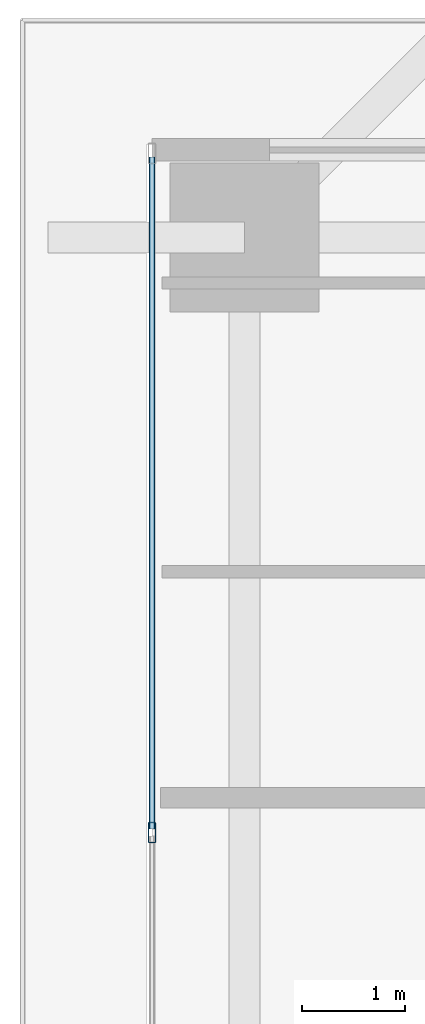
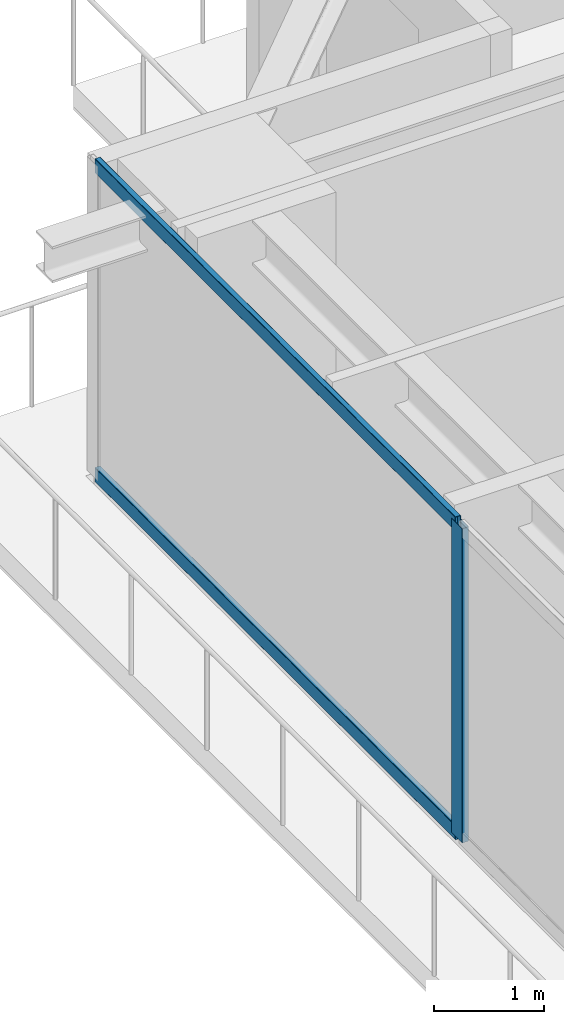
# One storey, part 16 of 38: 3 members, 1 element without a shape of its own.
"""IFC4 building model written with IfcOpenShell, lengths in metres."""

from ifc_helpers import new_model, si_unit, direction, frame, origin, origin_2d, place, context, subcontext, project, spatial, hollow_rectangle, extrude, source, transform, mapped, material, layer, layer_set, material_profile, profile_set, type_object, element, aggregate, save


model = new_model("IFC4")

# Units and contexts
model_context = context("Model", 3, precision=1e-05, world=origin(), true_north=direction((0.0, 1.0)))
body_context = subcontext(model_context, "Body", "Model", "MODEL_VIEW")
ifc_project = project(units=[si_unit("LENGTHUNIT", "METRE"), si_unit("AREAUNIT", "SQUARE_METRE"), si_unit("VOLUMEUNIT", "CUBIC_METRE"), si_unit("PLANEANGLEUNIT", "RADIAN"), si_unit("MASSUNIT", "GRAM", prefix="KILO")], contexts=[model_context])

# Site, building, storey
site_placement = place(None, origin())
site = spatial("IfcSite", under=ifc_project, at=site_placement, CompositionType="ELEMENT")
building_placement = place(site_placement, origin())
building = spatial("IfcBuilding", under=site, at=building_placement, Name="Serunith Strait Residences", CompositionType="ELEMENT")
storey_placement = place(building_placement, frame((0.0, 0.0, 30.449951171875)))
storey = spatial("IfcBuildingStorey", under=building, at=storey_placement, Name="L06", CompositionType="ELEMENT", Elevation=30.449951171875)

# Curtain wall, members
ifc_material = material(Name="Pale-Champagne Anodised Aluminium", Category="aluminium")
ifc_layer = layer(ifc_material, 0.199951171875, Name="Pale-Champagne Anodised Aluminium")
ifc_layer_set = layer_set([ifc_layer], Name="Pale-Champagne Anodised Aluminium")
curtain_wall_type = type_object("IfcCurtainWallType", Name="CW-SYS1", PredefinedType="NOTDEFINED", material=ifc_layer_set)
curtain_wall_placement = place(storey_placement, origin())
curtain_wall = element("IfcCurtainWall", 1, at=curtain_wall_placement, inside=storey, type_object=curtain_wall_type, Name="L06 W Unitised Fritted Curtain Wall", PredefinedType="NOTDEFINED")
ifc_material_profile_1 = material_profile(ifc_material, hollow_rectangle(XDim=0.070068359375, YDim=0.199951171875, WallThickness=0.00390625, InnerFilletRadius=0.006103515625, OuterFilletRadius=0.010009765625, at=origin_2d()), Name="ALU 200x70x4")
ifc_profile_set_1 = profile_set([ifc_material_profile_1], Name="Pale-Champagne Anodised Aluminium")
member_type_1 = type_object("IfcMemberType", Name="CW-SYS1-MULL", PredefinedType="MULLION", material=ifc_profile_set_1)
shared_shape_1 = source(origin(), body_context, "Body", "SweptSolid", [
    extrude(hollow_rectangle(XDim=0.070068359375, YDim=0.199951171875, WallThickness=0.00390625, InnerFilletRadius=0.006103515625, OuterFilletRadius=0.010009765625, at=origin_2d()), origin(), (0.0, 0.0, 1.0), 3.47509765625),
])
member_1_placement = place(storey_placement, frame((6.0, 35.159912109375, 0.0), z_axis=(0.0, 0.0, 1.0), x_axis=(1.0, 0.0, 0.0)))
member_1 = element("IfcMember", 2, at=member_1_placement, type_object=member_type_1, Name="CW-1 mullion 2", PredefinedType="MULLION", context=body_context, shape_type="MappedRepresentation", body=[
    mapped(shared_shape_1, transform((0.0, 0.0, 0.0), scale=1.0)),
])
ifc_material_profile_2 = material_profile(ifc_material, hollow_rectangle(XDim=0.06005859375, YDim=0.159912109375, WallThickness=0.00341796875, InnerFilletRadius=0.00537109375, OuterFilletRadius=0.0087890625, at=origin_2d()), Name="ALU 160x60x3.5")
ifc_profile_set_2 = profile_set([ifc_material_profile_2], Name="Pale-Champagne Anodised Aluminium")
member_type_2 = type_object("IfcMemberType", Name="CW-SYS1-TRAN", PredefinedType="USERDEFINED", material=ifc_profile_set_2)
shared_shape_2 = source(origin(), body_context, "Body", "SweptSolid", [
    extrude(hollow_rectangle(XDim=0.06005859375, YDim=0.159912109375, WallThickness=0.00341796875, InnerFilletRadius=0.00537109375, OuterFilletRadius=0.0087890625, at=origin_2d()), origin(), (0.0, 0.0, 1.0), 6.534912109375),
])
member_2_placement = place(storey_placement, frame((6.0, 41.72998046875, 0.030029296875), z_axis=(0.0, -1.0, 0.0), x_axis=(1.0, 0.0, 0.0)))
member_2 = element("IfcMember", 3, at=member_2_placement, type_object=member_type_2, Name="CW-1 transom 1.1", ObjectType="TRANSOM", PredefinedType="USERDEFINED", context=body_context, shape_type="MappedRepresentation", body=[
    mapped(shared_shape_2, transform((0.0, 0.0, 0.0), scale=1.0)),
])
member_3_placement = place(storey_placement, frame((6.0, 41.72998046875, 3.445068359375), z_axis=(0.0, -1.0, 0.0), x_axis=(1.0, 0.0, 0.0)))
member_3 = element("IfcMember", 4, at=member_3_placement, type_object=member_type_2, Name="CW-1 transom 1.2", ObjectType="TRANSOM", PredefinedType="USERDEFINED", context=body_context, shape_type="MappedRepresentation", body=[
    mapped(shared_shape_2, transform((0.0, 0.0, 0.0), scale=1.0)),
])
aggregate(curtain_wall, [member_1, member_2, member_3])

save(model, "model.ifc")
